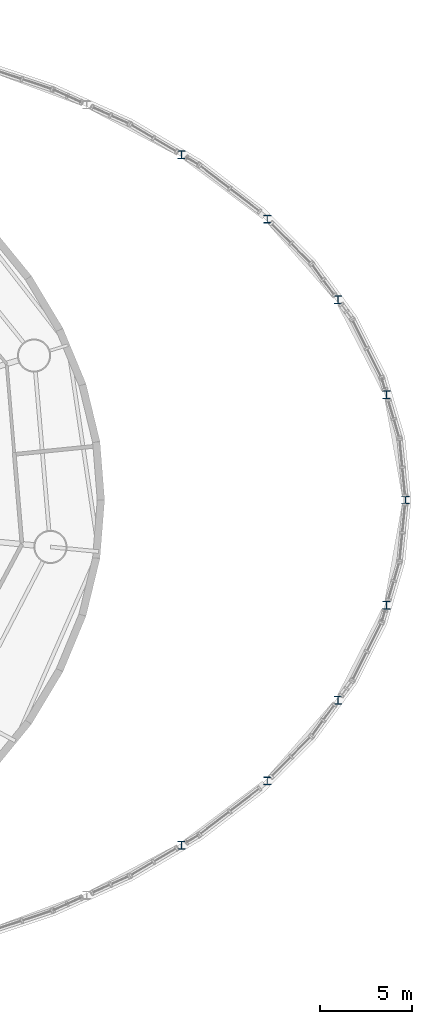
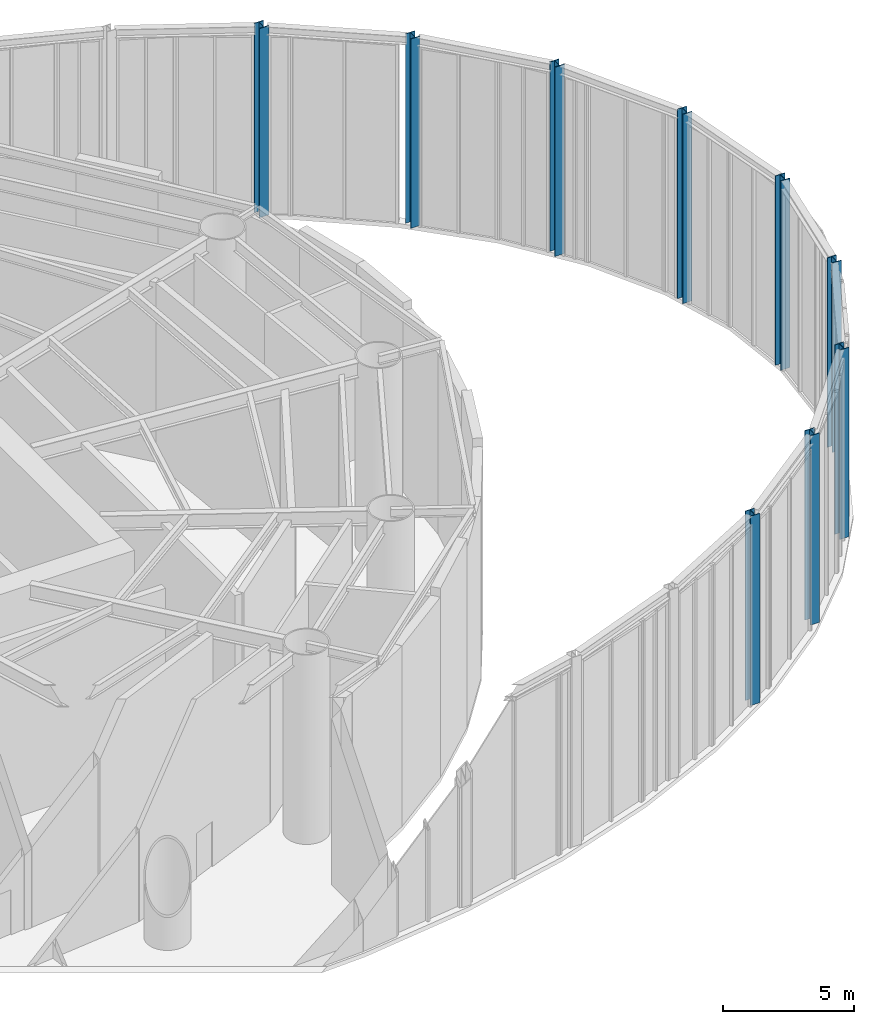
# One storey, part 3 of 19: 9 columns.
"""IFC4 building model written with IfcOpenShell, lengths in metres."""

from ifc_helpers import new_model, si_unit, direction, frame, origin, origin_2d, place, context, subcontext, project, spatial, i_section, extrude, material, material_profile, profile_set, type_object, element, save


model = new_model("IFC4")

# Units and contexts
model_context = context("Model", 3, precision=1e-05, world=origin(), true_north=direction((0.0, 1.0)))
body_context = subcontext(model_context, "Body", "Model", "MODEL_VIEW")
ifc_project = project(units=[si_unit("LENGTHUNIT", "METRE"), si_unit("AREAUNIT", "SQUARE_METRE"), si_unit("VOLUMEUNIT", "CUBIC_METRE"), si_unit("PLANEANGLEUNIT", "RADIAN"), si_unit("MASSUNIT", "GRAM", prefix="KILO")], contexts=[model_context])

# Site, building, storey
site_placement = place(None, origin())
site = spatial("IfcSite", under=ifc_project, at=site_placement, CompositionType="ELEMENT")
building_placement = place(site_placement, origin())
building = spatial("IfcBuilding", under=site, at=building_placement, Name="Vermilion Reach Broadcast Tower", CompositionType="ELEMENT")
storey_placement = place(building_placement, frame((0.0, 0.0, 8.0)))
storey = spatial("IfcBuildingStorey", under=building, at=storey_placement, Name="L01", CompositionType="ELEMENT", Elevation=8.0)

# Columns
ifc_material = material(Name="Steel S460NL", Category="steel")
ifc_material_profile = material_profile(ifc_material, i_section(OverallWidth=0.406982421875, OverallDepth=0.427978515625, WebThickness=0.02001953125, FlangeThickness=0.034912109375, at=origin_2d()), Name="S460NL HW 428x407x20x35")
ifc_profile_set = profile_set([ifc_material_profile], Name="Steel S460NL")
column_type = type_object("IfcColumnType", Name="AP HW 428x407x20x35", PredefinedType="COLUMN", material=ifc_profile_set)
for number, where, z_axis, x_axis, name in (
    (1, (27.570556640625, -18.70068359375, 0.0), (0.0, 0.0, 1.0), (1.0, 0.0, 0.0), "Atrium post AP04"),
    (2, (32.211669921875, -15.213134765625, 0.0), (0.0, 0.0, 1.0), (1.0, 0.0, 0.0), "Atrium post AP05"),
    (3, (36.033935546875, -10.847412109375, 0.0), (0.0, 0.0, 1.0), (1.0, 0.0, 0.0), "Atrium post AP06"),
    (4, (38.6767578125, -5.701416015625, 0.0), (0.0, 0.0, 1.0), (1.0, 0.0, 0.0), "Atrium post AP07"),
    (5, (39.699951171875, 0.0, 0.0), (0.0, 0.0, 1.0), (1.0, 0.0, 0.0), "Atrium post AP08"),
    (6, (38.6767578125, 5.701416015625, 0.0), (0.0, 0.0, 1.0), (1.0, 0.0, 0.0), "Atrium post AP09"),
    (7, (36.033935546875, 10.847412109375, 0.0), (0.0, 0.0, 1.0), (1.0, 0.0, 0.0), "Atrium post AP10"),
    (8, (32.211669921875, 15.213134765625, 0.0), (0.0, 0.0, 1.0), (1.0, 0.0, 0.0), "Atrium post AP11"),
    (9, (27.570556640625, 18.70068359375, 0.0), (0.0, 0.0, 1.0), (1.0, 0.0, 0.0), "Atrium post AP12"),
):
    element("IfcColumn", number, at=place(storey_placement, frame(where, z_axis=z_axis, x_axis=x_axis)), inside=storey, type_object=column_type, Name=name, PredefinedType="COLUMN", context=body_context, shape_type="SweptSolid", body=[
        extrude(i_section(OverallWidth=0.406982421875, OverallDepth=0.427978515625, WebThickness=0.02001953125, FlangeThickness=0.034912109375, at=origin_2d()), origin(), (0.0, 0.0, 1.0), 8.800048828125),
    ])

save(model, "model.ifc")
